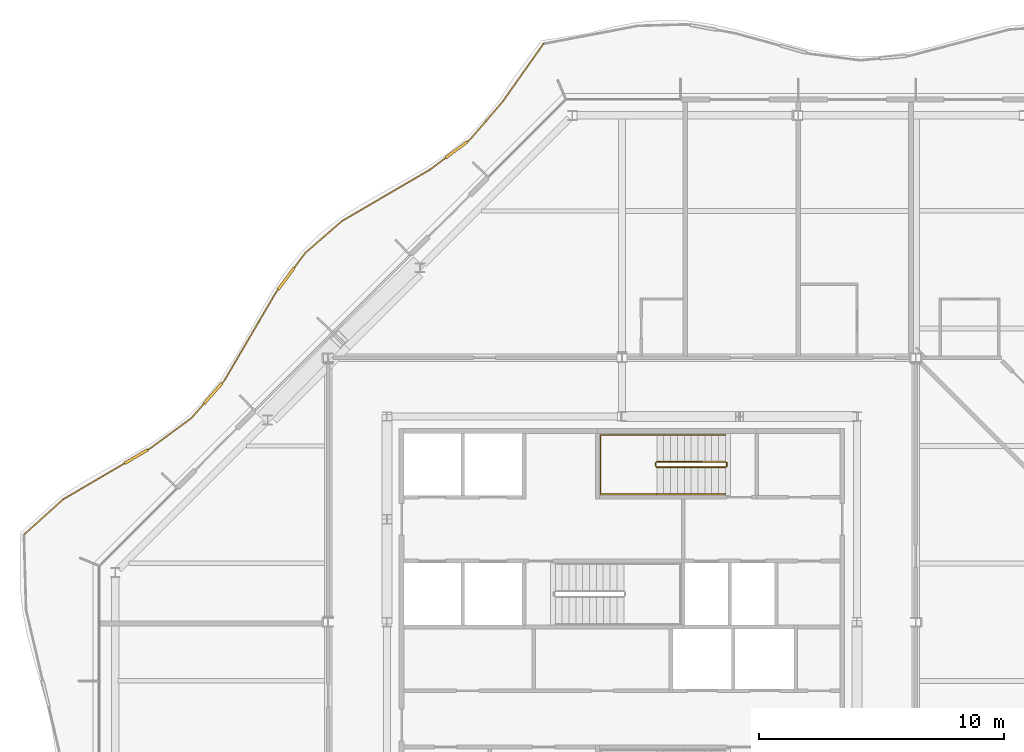
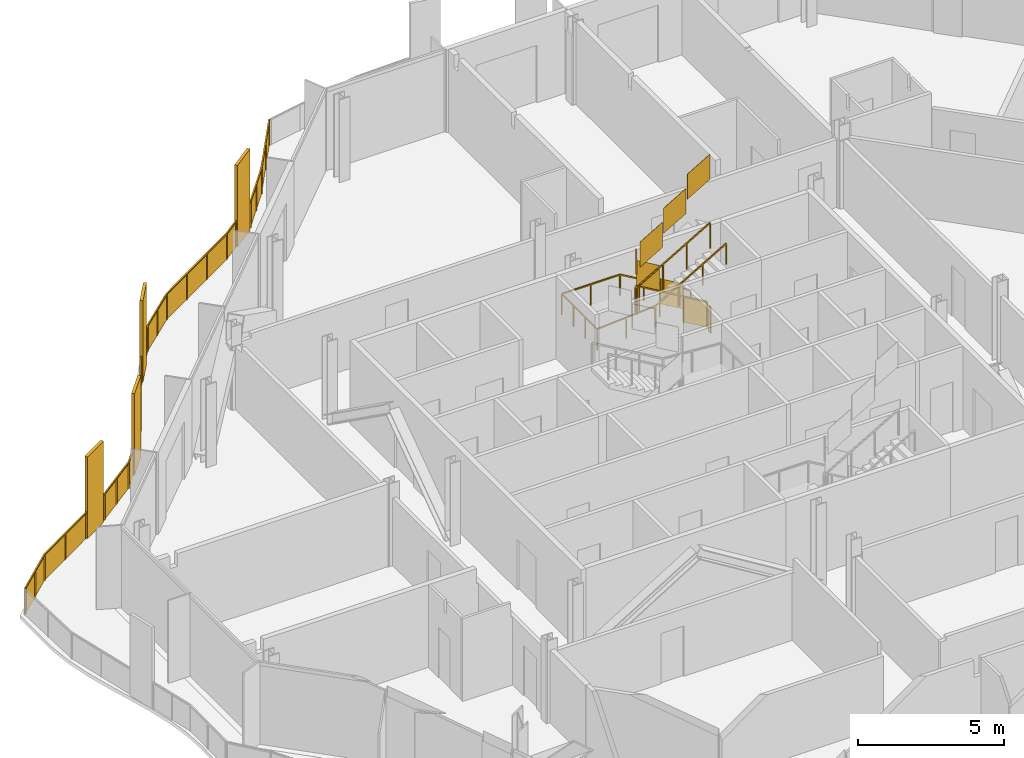
# One storey, part 16 of 17: 4 railings.
"""IFC4 building model written with IfcOpenShell, lengths in metres."""

import ifcopenshell
import ifcopenshell.guid

model = None  # the IFC model being written
_history = None  # IfcOwnerHistory: only IFC2X3 demands one
_inside = {}  # id of a spatial element -> (the spatial element, [elements in it])
_under = {}  # id of a project, library or spatial element -> (it, [spatial elements below it])
_declared = {}  # id of a project -> (the project, [libraries it declares])
_typed = {}  # id of a type object -> (the type object, [elements of that type])
_made_of = {}  # id of a material, layer set ... -> (it, [elements and type objects made of it])


def new_model(schema):
    """Start an empty IFC model of exactly this schema.

    Asked for "IFC4X3", IfcOpenShell would pick the latest addendum, in which some entities
    have other attributes; the version numbers below select the first issue.
    IFC2X3 requires an IfcOwnerHistory on every rooted entity: one is made here for all.
    """
    global model, _history
    if schema == "IFC4X3":
        model = ifcopenshell.file(schema_version=(4, 3, 0, 0))
    else:
        model = ifcopenshell.file(schema=schema)
    _inside.clear()
    _under.clear()
    _declared.clear()
    _typed.clear()
    _made_of.clear()
    _history = None
    if model.schema == "IFC2X3":
        org = make("IfcOrganization", Name="unknown")
        user = make(
            "IfcPersonAndOrganization",
            ThePerson=make("IfcPerson", FamilyName="unknown"),
            TheOrganization=org,
        )
        app = make(
            "IfcApplication",
            ApplicationDeveloper=org,
            Version="unknown",
            ApplicationFullName="unknown",
            ApplicationIdentifier="unknown",
        )
        _history = make(
            "IfcOwnerHistory",
            OwningUser=user,
            OwningApplication=app,
            ChangeAction="ADDED",
            CreationDate=0,
        )
    return model


def make(cls, **values):
    """One entity of the class cls with the attributes given. An attribute that is None is left unset."""
    return model.create_entity(
        cls, **{name: value for name, value in values.items() if value is not None}
    )


def rooted(cls, **values):
    """An entity with a GlobalId (a new one), such as an element, a storey or a relation."""
    return make(cls, GlobalId=ifcopenshell.guid.new(), OwnerHistory=_history, **values)


def si_unit(unit_type, name, prefix=None):
    """IfcSIUnit, for example si_unit("LENGTHUNIT", "METRE", prefix="MILLI")."""
    return make("IfcSIUnit", UnitType=unit_type, Prefix=prefix, Name=name)


def assignment(units):
    """IfcUnitAssignment: the units of a project."""
    return None if units is None else make("IfcUnitAssignment", Units=units)


def point(xyz):
    """IfcCartesianPoint."""
    return None if xyz is None else make("IfcCartesianPoint", Coordinates=xyz)


def direction(xyz):
    """IfcDirection."""
    return None if xyz is None else make("IfcDirection", DirectionRatios=xyz)


def frame(location, z_axis=None, x_axis=None):
    """IfcAxis2Placement3D, a coordinate frame: its origin and axes. An axis left out is left unset."""
    return make(
        "IfcAxis2Placement3D",
        Location=point(location),
        Axis=direction(z_axis),
        RefDirection=direction(x_axis),
    )


def frame_2d(location, x_axis=None):
    """IfcAxis2Placement2D, a coordinate frame in the plane: its origin and x axis."""
    return make(
        "IfcAxis2Placement2D", Location=point(location), RefDirection=direction(x_axis)
    )


def origin():
    """The frame at (0, 0, 0) with its axes left unset."""
    return frame((0.0, 0.0, 0.0))


def origin_2d():
    """The frame at (0, 0) in the plane with its x axis left unset."""
    return frame_2d((0.0, 0.0))


def place(relative_to, where):
    """IfcLocalPlacement: puts the frame where relative to a parent placement (None: the world)."""
    return make(
        "IfcLocalPlacement", PlacementRelTo=relative_to, RelativePlacement=where
    )


def context(
    kind, dimensions, precision=None, world=None, true_north=None, identifier=None
):
    """IfcGeometricRepresentationContext, for example the 3D "Model" context."""
    return make(
        "IfcGeometricRepresentationContext",
        ContextIdentifier=identifier,
        ContextType=kind,
        CoordinateSpaceDimension=dimensions,
        Precision=precision,
        WorldCoordinateSystem=world,
        TrueNorth=true_north,
    )


def subcontext(parent, identifier, kind, view, scale=None):
    """IfcGeometricRepresentationSubContext, for example "Body" below "Model"."""
    return make(
        "IfcGeometricRepresentationSubContext",
        ContextIdentifier=identifier,
        ContextType=kind,
        ParentContext=parent,
        TargetScale=scale,
        TargetView=view,
    )


def project(units=None, contexts=None):
    """IfcProject with its units and contexts."""
    return rooted(
        "IfcProject",
        Name="project",
        RepresentationContexts=contexts,
        UnitsInContext=assignment(units),
    )


def spatial(cls, under=None, at=None, **own):
    """A site, building, storey or space (cls), placed at a placement, below another one or the project."""
    s = rooted(cls, ObjectPlacement=at, **own)
    if under is not None:
        _under.setdefault(under.id(), (under, []))[1].append(s)
    return s


def polyline(points):
    """IfcPolyline through the points."""
    return make("IfcPolyline", Points=[point(p) for p in points])


def profile(cls, at=None, kind="AREA", **sizes):
    """A parametric profile (cls). Its sizes go by their IFC names, for example OverallWidth=200.0."""
    return make(cls, ProfileType=kind, Position=at, **sizes)


def rectangle(**sizes):
    """IfcRectangleProfileDef."""
    return profile("IfcRectangleProfileDef", **sizes)


def outline(outer, holes=None, kind="AREA"):
    """IfcArbitraryClosedProfileDef: a profile drawn as a closed curve; with holes, ...WithVoids."""
    if holes is None:
        return make("IfcArbitraryClosedProfileDef", ProfileType=kind, OuterCurve=outer)
    return make(
        "IfcArbitraryProfileDefWithVoids",
        ProfileType=kind,
        OuterCurve=outer,
        InnerCurves=holes,
    )


def extrude(swept, where, along, depth):
    """IfcExtrudedAreaSolid: the profile swept, set in the frame where, extruded along a direction by depth."""
    return make(
        "IfcExtrudedAreaSolid",
        SweptArea=swept,
        Position=where,
        ExtrudedDirection=direction(along),
        Depth=depth,
    )


def shape(context_of_items, identifier, shape_type, items):
    """IfcShapeRepresentation: the items that make up one representation, for example the "Body"."""
    return make(
        "IfcShapeRepresentation",
        ContextOfItems=context_of_items,
        RepresentationIdentifier=identifier,
        RepresentationType=shape_type,
        Items=items,
    )


def material(Name=None, Category=None):
    """IfcMaterial."""
    return make("IfcMaterial", Name=Name, Category=Category)


def made_of(thing, what):
    """Note that an element or type object is made of a material, layer set ...; save() writes the relation."""
    if what is not None:
        _made_of.setdefault(what.id(), (what, []))[1].append(thing)
    return thing


def type_object(cls, material=None, **own):
    """A type object (cls), such as IfcWallType, which elements share."""
    return made_of(rooted(cls, **own), material)


def element(
    cls,
    number,
    at=None,
    inside=None,
    cuts=None,
    type_object=None,
    material=None,
    context=None,
    identifier="Body",
    shape_type=None,
    held_by="IfcProductDefinitionShape",
    body=None,
    shapes=None,
    **own,
):
    """One element of the class cls, such as IfcWall. Its Tag is "e" and its number.

    at: its placement. inside: the storey or other place that contains it. cuts: it is an
    opening in that element (IfcRelVoidsElement). A single representation is given by context,
    identifier, shape_type and body (its items); several are given by shapes. held_by: the class
    of the entity that holds the representations. save() writes the other relations.
    """
    e = rooted(cls, Tag="e%d" % number, ObjectPlacement=at, **own)
    if body is not None:
        shapes = [shape(context, identifier, shape_type, body)]
    if shapes is not None:
        e.Representation = make(held_by, Representations=shapes)
    if inside is not None:
        _inside.setdefault(inside.id(), (inside, []))[1].append(e)
    if cuts is not None:
        rooted(
            "IfcRelVoidsElement", RelatingBuildingElement=cuts, RelatedOpeningElement=e
        )
    if type_object is not None:
        _typed.setdefault(type_object.id(), (type_object, []))[1].append(e)
    return made_of(e, material)


def aggregate(whole, parts):
    """IfcRelAggregates: a whole, such as a stair, and the parts it consists of."""
    return rooted("IfcRelAggregates", RelatingObject=whole, RelatedObjects=parts)


def save(model, path):
    """Write the relations noted so far, then the file.

    IfcRelAggregates (storeys below a building ...), IfcRelContainedInSpatialStructure (elements
    in a storey), IfcRelDefinesByType, IfcRelAssociatesMaterial and IfcRelDeclares: one each for
    every whole, place, type object, material and project.
    """
    for whole, parts in _under.values():
        aggregate(whole, parts)
    for where, things in _inside.values():
        rooted(
            "IfcRelContainedInSpatialStructure",
            RelatedElements=things,
            RelatingStructure=where,
        )
    for kind, things in _typed.values():
        rooted("IfcRelDefinesByType", RelatedObjects=things, RelatingType=kind)
    for what, things in _made_of.values():
        rooted("IfcRelAssociatesMaterial", RelatedObjects=things, RelatingMaterial=what)
    for by, libraries in _declared.values():
        rooted("IfcRelDeclares", RelatingContext=by, RelatedDefinitions=libraries)
    model.write(path)


model = new_model("IFC4")

# Units and contexts
model_context = context("Model", 3, precision=1e-05, world=origin(), true_north=direction((0.0, 1.0)))
body_context = subcontext(model_context, "Body", "Model", "MODEL_VIEW")
ifc_project = project(units=[si_unit("LENGTHUNIT", "METRE"), si_unit("AREAUNIT", "SQUARE_METRE"), si_unit("VOLUMEUNIT", "CUBIC_METRE"), si_unit("PLANEANGLEUNIT", "RADIAN"), si_unit("MASSUNIT", "GRAM", prefix="KILO")], contexts=[model_context])

# Site, building, storey
site_placement = place(None, origin())
site = spatial("IfcSite", under=ifc_project, at=site_placement, CompositionType="ELEMENT")
building_placement = place(site_placement, origin())
building = spatial("IfcBuilding", under=site, at=building_placement, Name="Cairn Pilgrim Tower", CompositionType="ELEMENT")
storey_placement = place(building_placement, frame((0.0, 0.0, 253.800048828125)))
storey = spatial("IfcBuildingStorey", under=building, at=storey_placement, Name="L65", CompositionType="ELEMENT", Elevation=253.800048828125)

# Railings
ifc_material_1 = material(Name="Bronze anodised aluminium rail, posts and fin screens with laminated glass infill", Category="aluminium")
railing_type_1 = type_object("IfcRailingType", Name="BALCONY GUARD WITH FIN SCREENS", PredefinedType="GUARDRAIL", material=ifc_material_1)
railing_1_placement = place(storey_placement, frame((3.992919921875, 26.024169921875, 0.0)))
element("IfcRailing", 1, at=railing_1_placement, inside=storey, type_object=railing_type_1, Name="Balcony guard BGF-6 with fin screens", PredefinedType="GUARDRAIL", context=body_context, shape_type="SweptSolid", body=[
    extrude(rectangle(XDim=0.050048828125, YDim=0.050048828125, at=origin_2d()), frame((0.0, 0.0, 1.0751953125), z_axis=(-0.57633889934, -0.817210788663, 0.0), x_axis=(0.817210788663, -0.57633889934, 0.0)), (0.0, 0.0, 1.0), 2.895751953125),
    extrude(rectangle(XDim=0.050048828125, YDim=0.050048828125, at=origin_2d()), frame((-1.6689453125, -2.366455078125, 1.0751953125), z_axis=(-0.651923719263, -0.758284553622, 0.0), x_axis=(0.758284553622, -0.651923719263, 0.0)), (0.0, 0.0, 1.0), 2.04052734375),
    extrude(rectangle(XDim=1.10009765625, YDim=0.110107421875, at=origin_2d()), frame((-3.5595703125, -4.33349609375, 0.0), z_axis=(0.0, 0.0, 1.0), x_axis=(-0.800455544587, -0.599392126359, 0.0)), (0.0, 0.0, 1.0), 3.39990234375),
    extrude(rectangle(XDim=0.050048828125, YDim=0.050048828125, at=origin_2d()), frame((-2.999267578125, -3.913818359375, 1.0751953125), z_axis=(-0.800455544587, -0.599392126359, 0.0), x_axis=(0.599392126359, -0.800455544587, 0.0)), (0.0, 0.0, 1.0), 0.14990234375),
    extrude(rectangle(XDim=0.050048828125, YDim=0.050048828125, at=origin_2d()), frame((-3.999755859375, -4.6630859375, 1.0751953125), z_axis=(-0.800455544587, -0.599392126359, 0.0), x_axis=(0.599392126359, -0.800455544587, 0.0)), (0.0, 0.0, 1.0), 0.806884765625),
    extrude(rectangle(XDim=0.050048828125, YDim=0.050048828125, at=origin_2d()), frame((-4.645751953125, -5.146728515625, 1.0751953125), z_axis=(-0.863369283691, -0.504572571569, 0.0), x_axis=(0.504572571569, -0.863369283691, 0.0)), (0.0, 0.0, 1.0), 4.1533203125),
    extrude(rectangle(XDim=0.050048828125, YDim=0.050048828125, at=origin_2d()), frame((-8.231689453125, -7.242431640625, 1.0751953125), z_axis=(-0.755084368508, -0.655627635502, 0.0), x_axis=(0.655627635502, -0.755084368508, 0.0)), (0.0, 0.0, 1.0), 1.98583984375),
    extrude(rectangle(XDim=1.10009765625, YDim=0.110107421875, at=origin_2d()), frame((-10.51123046875, -9.59521484375, 0.0), z_axis=(0.0, 0.0, 1.0), x_axis=(-0.596064380955, -0.802936643676, 0.0)), (0.0, 0.0, 1.0), 3.39990234375),
    extrude(rectangle(XDim=0.050048828125, YDim=0.050048828125, at=origin_2d()), frame((-9.731201171875, -8.54443359375, 1.0751953125), z_axis=(-0.596064380955, -0.802936643676, 0.0), x_axis=(0.802936643676, -0.596064380955, 0.0)), (0.0, 0.0, 1.0), 0.758544921875),
    extrude(rectangle(XDim=0.050048828125, YDim=0.050048828125, at=origin_2d()), frame((-10.839111328125, -10.036865234375, 1.0751953125), z_axis=(-0.596064380955, -0.802936643676, 0.0), x_axis=(0.802936643676, -0.596064380955, 0.0)), (0.0, 0.0, 1.0), 0.150146484375),
    extrude(rectangle(XDim=0.050048828125, YDim=0.050048828125, at=origin_2d()), frame((-10.928466796875, -10.1572265625, 1.0751953125), z_axis=(-0.50508441104, -0.863069949497, 0.0), x_axis=(0.863069949497, -0.50508441104, 0.0)), (0.0, 0.0, 1.0), 4.164306640625),
    extrude(rectangle(XDim=1.10009765625, YDim=0.110107421875, at=origin_2d()), frame((-13.4931640625, -14.277587890625, 0.0), z_axis=(0.0, 0.0, 1.0), x_axis=(-0.65929822296, -0.751881542001, 0.0)), (0.0, 0.0, 1.0), 3.39990234375),
    extrude(rectangle(XDim=0.050048828125, YDim=0.050048828125, at=origin_2d()), frame((-13.03173828125, -13.751220703125, 1.0751953125), z_axis=(-0.65929822296, -0.751881542001, 0.0), x_axis=(0.751881542001, -0.65929822296, 0.0)), (0.0, 0.0, 1.0), 0.14990234375),
    extrude(rectangle(XDim=0.050048828125, YDim=0.050048828125, at=origin_2d()), frame((-13.855712890625, -14.691162109375, 1.0751953125), z_axis=(-0.65929822296, -0.751881542001, 0.0), x_axis=(0.751881542001, -0.65929822296, 0.0)), (0.0, 0.0, 1.0), 0.79638671875),
    extrude(rectangle(XDim=0.050048828125, YDim=0.050048828125, at=origin_2d()), frame((-14.380859375, -15.289794921875, 1.0751953125), z_axis=(-0.805487840964, -0.592612299956, 0.0), x_axis=(0.592612299956, -0.805487840964, 0.0)), (0.0, 0.0, 1.0), 2.05859375),
    extrude(rectangle(XDim=1.10009765625, YDim=0.110107421875, at=origin_2d()), frame((-16.642822265625, -16.86376953125, 0.0), z_axis=(0.0, 0.0, 1.0), x_axis=(-0.862701510364, -0.505713460385, 0.0)), (0.0, 0.0, 1.0), 3.39990234375),
    extrude(rectangle(XDim=0.050048828125, YDim=0.050048828125, at=origin_2d()), frame((-16.0390625, -16.509765625, 1.0751953125), z_axis=(-0.862701510364, -0.505713460385, 0.0), x_axis=(0.505713460385, -0.862701510364, 0.0)), (0.0, 0.0, 1.0), 0.14990234375),
    extrude(rectangle(XDim=0.050048828125, YDim=0.050048828125, at=origin_2d()), frame((-17.117431640625, -17.141845703125, 1.0751953125), z_axis=(-0.862701510364, -0.505713460385, 0.0), x_axis=(0.505713460385, -0.862701510364, 0.0)), (0.0, 0.0, 1.0), 2.89990234375),
    extrude(rectangle(XDim=0.050048828125, YDim=0.050048828125, at=origin_2d()), frame((-19.619140625, -18.6083984375, 1.0751953125), z_axis=(-0.743114888716, -0.669163853006, 0.0), x_axis=(0.669163853006, -0.743114888716, 0.0)), (0.0, 0.0, 1.0), 2.099609375),
    extrude(rectangle(XDim=0.050048828125, YDim=0.050048828125, at=origin_2d()), origin(), (0.0, 0.0, 1.0), 1.050048828125),
    extrude(rectangle(XDim=0.050048828125, YDim=0.050048828125, at=origin_2d()), frame((-0.83447265625, -1.18310546875, 0.0)), (0.0, 0.0, 1.0), 1.050048828125),
    extrude(rectangle(XDim=0.050048828125, YDim=0.050048828125, at=origin_2d()), frame((-1.6689453125, -2.366455078125, 0.0)), (0.0, 0.0, 1.0), 1.050048828125),
    extrude(rectangle(XDim=0.050048828125, YDim=0.050048828125, at=origin_2d()), frame((-2.333984375, -3.14013671875, 0.0)), (0.0, 0.0, 1.0), 1.050048828125),
    extrude(rectangle(XDim=0.050048828125, YDim=0.050048828125, at=origin_2d()), frame((-2.999267578125, -3.913818359375, 0.0)), (0.0, 0.0, 1.0), 1.050048828125),
    extrude(rectangle(XDim=0.050048828125, YDim=0.050048828125, at=origin_2d()), frame((-3.099365234375, -3.98876953125, 0.0)), (0.0, 0.0, 1.0), 1.050048828125),
    extrude(rectangle(XDim=0.050048828125, YDim=0.050048828125, at=origin_2d()), frame((-4.019775390625, -4.677978515625, 0.0)), (0.0, 0.0, 1.0), 1.050048828125),
    extrude(rectangle(XDim=0.050048828125, YDim=0.050048828125, at=origin_2d()), frame((-4.645751953125, -5.146728515625, 0.0)), (0.0, 0.0, 1.0), 1.050048828125),
    extrude(rectangle(XDim=0.050048828125, YDim=0.050048828125, at=origin_2d()), frame((-5.841064453125, -5.84521484375, 0.0)), (0.0, 0.0, 1.0), 1.050048828125),
    extrude(rectangle(XDim=0.050048828125, YDim=0.050048828125, at=origin_2d()), frame((-7.036376953125, -6.5439453125, 0.0)), (0.0, 0.0, 1.0), 1.050048828125),
    extrude(rectangle(XDim=0.050048828125, YDim=0.050048828125, at=origin_2d()), frame((-8.231689453125, -7.242431640625, 0.0)), (0.0, 0.0, 1.0), 1.050048828125),
    extrude(rectangle(XDim=0.050048828125, YDim=0.050048828125, at=origin_2d()), frame((-8.9814453125, -7.8935546875, 0.0)), (0.0, 0.0, 1.0), 1.050048828125),
    extrude(rectangle(XDim=0.050048828125, YDim=0.050048828125, at=origin_2d()), frame((-9.731201171875, -8.54443359375, 0.0)), (0.0, 0.0, 1.0), 1.050048828125),
    extrude(rectangle(XDim=0.050048828125, YDim=0.050048828125, at=origin_2d()), frame((-10.16845703125, -9.133544921875, 0.0)), (0.0, 0.0, 1.0), 1.050048828125),
    extrude(rectangle(XDim=0.050048828125, YDim=0.050048828125, at=origin_2d()), frame((-10.85400390625, -10.056884765625, 0.0)), (0.0, 0.0, 1.0), 1.050048828125),
    extrude(rectangle(XDim=0.050048828125, YDim=0.050048828125, at=origin_2d()), frame((-10.928466796875, -10.1572265625, 0.0)), (0.0, 0.0, 1.0), 1.050048828125),
    extrude(rectangle(XDim=0.050048828125, YDim=0.050048828125, at=origin_2d()), frame((-11.629638671875, -11.355224609375, 0.0)), (0.0, 0.0, 1.0), 1.050048828125),
    extrude(rectangle(XDim=0.050048828125, YDim=0.050048828125, at=origin_2d()), frame((-12.33056640625, -12.55322265625, 0.0)), (0.0, 0.0, 1.0), 1.050048828125),
    extrude(rectangle(XDim=0.050048828125, YDim=0.050048828125, at=origin_2d()), frame((-13.03173828125, -13.751220703125, 0.0)), (0.0, 0.0, 1.0), 1.050048828125),
    extrude(rectangle(XDim=0.050048828125, YDim=0.050048828125, at=origin_2d()), frame((-13.114013671875, -13.84521484375, 0.0)), (0.0, 0.0, 1.0), 1.050048828125),
    extrude(rectangle(XDim=0.050048828125, YDim=0.050048828125, at=origin_2d()), frame((-13.872314453125, -14.7099609375, 0.0)), (0.0, 0.0, 1.0), 1.050048828125),
    extrude(rectangle(XDim=0.050048828125, YDim=0.050048828125, at=origin_2d()), frame((-14.380859375, -15.289794921875, 0.0)), (0.0, 0.0, 1.0), 1.050048828125),
    extrude(rectangle(XDim=0.050048828125, YDim=0.050048828125, at=origin_2d()), frame((-15.2099609375, -15.89990234375, 0.0)), (0.0, 0.0, 1.0), 1.050048828125),
    extrude(rectangle(XDim=0.050048828125, YDim=0.050048828125, at=origin_2d()), frame((-16.0390625, -16.509765625, 0.0)), (0.0, 0.0, 1.0), 1.050048828125),
    extrude(rectangle(XDim=0.050048828125, YDim=0.050048828125, at=origin_2d()), frame((-16.146728515625, -16.572998046875, 0.0)), (0.0, 0.0, 1.0), 1.050048828125),
    extrude(rectangle(XDim=0.050048828125, YDim=0.050048828125, at=origin_2d()), frame((-17.138916015625, -17.154541015625, 0.0)), (0.0, 0.0, 1.0), 1.050048828125),
    extrude(rectangle(XDim=0.050048828125, YDim=0.050048828125, at=origin_2d()), frame((-18.379150390625, -17.88134765625, 0.0)), (0.0, 0.0, 1.0), 1.050048828125),
    extrude(rectangle(XDim=0.050048828125, YDim=0.050048828125, at=origin_2d()), frame((-19.619140625, -18.6083984375, 0.0)), (0.0, 0.0, 1.0), 1.050048828125),
    extrude(rectangle(XDim=0.050048828125, YDim=0.050048828125, at=origin_2d()), frame((-20.3994140625, -19.31103515625, 0.0)), (0.0, 0.0, 1.0), 1.050048828125),
    extrude(rectangle(XDim=0.050048828125, YDim=0.050048828125, at=origin_2d()), frame((-21.179443359375, -20.013427734375, 0.0)), (0.0, 0.0, 1.0), 1.050048828125),
    extrude(outline(polyline([(0.02490234375, 0.0), (1.4228515625, 0.0), (1.4228515625, 1.050048828125), (0.02490234375, 1.050048828125), (0.02490234375, 0.0)])), frame((0.0048828125, -0.00341796875, 0.0), z_axis=(-0.817210788663, 0.57633889934, 0.0), x_axis=(-0.57633889934, -0.817210788663, 0.0)), (0.0, 0.0, 1.0), 0.011962890625),
    extrude(outline(polyline([(0.02490234375, 0.0), (1.4228515625, 0.0), (1.4228515625, 1.050048828125), (0.02490234375, 1.050048828125), (0.02490234375, 0.0)])), frame((-0.82958984375, -1.186767578125, 0.0), z_axis=(-0.817210788663, 0.57633889934, 0.0), x_axis=(-0.57633889934, -0.817210788663, 0.0)), (0.0, 0.0, 1.0), 0.011962890625),
    extrude(outline(polyline([(0.02490234375, 0.0), (0.995361328125, 0.0), (0.995361328125, 1.050048828125), (0.02490234375, 1.050048828125), (0.02490234375, 0.0)])), frame((-1.664306640625, -2.370361328125, 0.0), z_axis=(-0.758284553622, 0.651923719263, 0.0), x_axis=(-0.651923719263, -0.758284553622, 0.0)), (0.0, 0.0, 1.0), 0.011962890625),
    extrude(outline(polyline([(0.02490234375, 0.0), (0.995361328125, 0.0), (0.995361328125, 1.050048828125), (0.02490234375, 1.050048828125), (0.02490234375, 0.0)])), frame((-2.32958984375, -3.14404296875, 0.0), z_axis=(-0.758284553622, 0.651923719263, 0.0), x_axis=(-0.651923719263, -0.758284553622, 0.0)), (0.0, 0.0, 1.0), 0.011962890625),
    extrude(outline(polyline([(0.02490234375, 0.0), (0.099853515625, 0.0), (0.099853515625, 1.050048828125), (0.02490234375, 1.050048828125), (0.02490234375, 0.0)])), frame((-2.99560546875, -3.918701171875, 0.0), z_axis=(-0.599392126359, 0.800455544587, 0.0), x_axis=(-0.800455544587, -0.599392126359, 0.0)), (0.0, 0.0, 1.0), 0.011962890625),
    extrude(outline(polyline([(0.02490234375, 0.0), (0.7568359375, 0.0), (0.7568359375, 1.050048828125), (0.02490234375, 1.050048828125), (0.02490234375, 0.0)])), frame((-4.016357421875, -4.682861328125, 0.0), z_axis=(-0.599392126359, 0.800455544587, 0.0), x_axis=(-0.800455544587, -0.599392126359, 0.0)), (0.0, 0.0, 1.0), 0.011962890625),
    extrude(outline(polyline([(0.02490234375, 0.0), (1.359375, 0.0), (1.359375, 1.050048828125), (0.02490234375, 1.050048828125), (0.02490234375, 0.0)])), frame((-4.642822265625, -5.15185546875, 0.0), z_axis=(-0.504572571569, 0.863369283691, 0.0), x_axis=(-0.863369283691, -0.504572571569, 0.0)), (0.0, 0.0, 1.0), 0.011962890625),
    extrude(outline(polyline([(0.02490234375, 0.0), (1.359375, 0.0), (1.359375, 1.050048828125), (0.02490234375, 1.050048828125), (0.02490234375, 0.0)])), frame((-5.838134765625, -5.850341796875, 0.0), z_axis=(-0.504572571569, 0.863369283691, 0.0), x_axis=(-0.863369283691, -0.504572571569, 0.0)), (0.0, 0.0, 1.0), 0.011962890625),
    extrude(outline(polyline([(0.02490234375, 0.0), (1.359375, 0.0), (1.359375, 1.050048828125), (0.02490234375, 1.050048828125), (0.02490234375, 0.0)])), frame((-7.033447265625, -6.549072265625, 0.0), z_axis=(-0.504572571569, 0.863369283691, 0.0), x_axis=(-0.863369283691, -0.504572571569, 0.0)), (0.0, 0.0, 1.0), 0.011962890625),
    extrude(outline(polyline([(0.02490234375, 0.0), (0.968017578125, 0.0), (0.968017578125, 1.050048828125), (0.02490234375, 1.050048828125), (0.02490234375, 0.0)])), frame((-8.227783203125, -7.246826171875, 0.0), z_axis=(-0.655627635502, 0.755084368508, 0.0), x_axis=(-0.755084368508, -0.655627635502, 0.0)), (0.0, 0.0, 1.0), 0.011962890625),
    extrude(outline(polyline([(0.02490234375, 0.0), (0.968017578125, 0.0), (0.968017578125, 1.050048828125), (0.02490234375, 1.050048828125), (0.02490234375, 0.0)])), frame((-8.9775390625, -7.89794921875, 0.0), z_axis=(-0.655627635502, 0.755084368508, 0.0), x_axis=(-0.755084368508, -0.655627635502, 0.0)), (0.0, 0.0, 1.0), 0.011962890625),
    extrude(outline(polyline([(0.02490234375, 0.0), (0.70849609375, 0.0), (0.70849609375, 1.050048828125), (0.02490234375, 1.050048828125), (0.02490234375, 0.0)])), frame((-9.726318359375, -8.548095703125, 0.0), z_axis=(-0.802936643676, 0.596064380955, 0.0), x_axis=(-0.596064380955, -0.802936643676, 0.0)), (0.0, 0.0, 1.0), 0.011962890625),
    extrude(outline(polyline([(0.02490234375, 0.0), (0.10009765625, 0.0), (0.10009765625, 1.050048828125), (0.02490234375, 1.050048828125), (0.02490234375, 0.0)])), frame((-10.84912109375, -10.060302734375, 0.0), z_axis=(-0.802936643676, 0.596064380955, 0.0), x_axis=(-0.596064380955, -0.802936643676, 0.0)), (0.0, 0.0, 1.0), 0.011962890625),
    extrude(outline(polyline([(0.02490234375, 0.0), (1.363037109375, 0.0), (1.363037109375, 1.050048828125), (0.02490234375, 1.050048828125), (0.02490234375, 0.0)])), frame((-10.92333984375, -10.16015625, 0.0), z_axis=(-0.863069949497, 0.50508441104, 0.0), x_axis=(-0.50508441104, -0.863069949497, 0.0)), (0.0, 0.0, 1.0), 0.011962890625),
    extrude(outline(polyline([(0.02490234375, 0.0), (1.363037109375, 0.0), (1.363037109375, 1.050048828125), (0.02490234375, 1.050048828125), (0.02490234375, 0.0)])), frame((-11.62451171875, -11.358154296875, 0.0), z_axis=(-0.863069949497, 0.50508441104, 0.0), x_axis=(-0.50508441104, -0.863069949497, 0.0)), (0.0, 0.0, 1.0), 0.011962890625),
    extrude(outline(polyline([(0.02490234375, 0.0), (1.363037109375, 0.0), (1.363037109375, 1.050048828125), (0.02490234375, 1.050048828125), (0.02490234375, 0.0)])), frame((-12.325439453125, -12.55615234375, 0.0), z_axis=(-0.863069949497, 0.50508441104, 0.0), x_axis=(-0.50508441104, -0.863069949497, 0.0)), (0.0, 0.0, 1.0), 0.011962890625),
    extrude(outline(polyline([(0.02490234375, 0.0), (0.099853515625, 0.0), (0.099853515625, 1.050048828125), (0.02490234375, 1.050048828125), (0.02490234375, 0.0)])), frame((-13.02734375, -13.755126953125, 0.0), z_axis=(-0.751881542001, 0.65929822296, 0.0), x_axis=(-0.65929822296, -0.751881542001, 0.0)), (0.0, 0.0, 1.0), 0.011962890625),
    extrude(outline(polyline([(0.02490234375, 0.0), (0.746337890625, 0.0), (0.746337890625, 1.050048828125), (0.02490234375, 1.050048828125), (0.02490234375, 0.0)])), frame((-13.867919921875, -14.7138671875, 0.0), z_axis=(-0.751881542001, 0.65929822296, 0.0), x_axis=(-0.65929822296, -0.751881542001, 0.0)), (0.0, 0.0, 1.0), 0.011962890625),
    extrude(outline(polyline([(0.02490234375, 0.0), (1.00439453125, 0.0), (1.00439453125, 1.050048828125), (0.02490234375, 1.050048828125), (0.02490234375, 0.0)])), frame((-14.377197265625, -15.294677734375, 0.0), z_axis=(-0.592612299956, 0.805487840964, 0.0), x_axis=(-0.805487840964, -0.592612299956, 0.0)), (0.0, 0.0, 1.0), 0.011962890625),
    extrude(outline(polyline([(0.02490234375, 0.0), (1.00439453125, 0.0), (1.00439453125, 1.050048828125), (0.02490234375, 1.050048828125), (0.02490234375, 0.0)])), frame((-15.206298828125, -15.904541015625, 0.0), z_axis=(-0.592612299956, 0.805487840964, 0.0), x_axis=(-0.805487840964, -0.592612299956, 0.0)), (0.0, 0.0, 1.0), 0.011962890625),
    extrude(outline(polyline([(0.02490234375, 0.0), (0.099853515625, 0.0), (0.099853515625, 1.050048828125), (0.02490234375, 1.050048828125), (0.02490234375, 0.0)])), frame((-16.0361328125, -16.514892578125, 0.0), z_axis=(-0.505713460385, 0.862701510364, 0.0), x_axis=(-0.862701510364, -0.505713460385, 0.0)), (0.0, 0.0, 1.0), 0.011962890625),
    extrude(outline(polyline([(0.02490234375, 0.0), (1.412353515625, 0.0), (1.412353515625, 1.050048828125), (0.02490234375, 1.050048828125), (0.02490234375, 0.0)])), frame((-17.135986328125, -17.15966796875, 0.0), z_axis=(-0.505713460385, 0.862701510364, 0.0), x_axis=(-0.862701510364, -0.505713460385, 0.0)), (0.0, 0.0, 1.0), 0.011962890625),
    extrude(outline(polyline([(0.02490234375, 0.0), (1.412353515625, 0.0), (1.412353515625, 1.050048828125), (0.02490234375, 1.050048828125), (0.02490234375, 0.0)])), frame((-18.3759765625, -17.88671875, 0.0), z_axis=(-0.505713460385, 0.862701510364, 0.0), x_axis=(-0.862701510364, -0.505713460385, 0.0)), (0.0, 0.0, 1.0), 0.011962890625),
    extrude(outline(polyline([(0.02490234375, 0.0), (1.02490234375, 0.0), (1.02490234375, 1.050048828125), (0.02490234375, 1.050048828125), (0.02490234375, 0.0)])), frame((-19.615234375, -18.61279296875, 0.0), z_axis=(-0.669163853006, 0.743114888716, 0.0), x_axis=(-0.743114888716, -0.669163853006, 0.0)), (0.0, 0.0, 1.0), 0.011962890625),
    extrude(outline(polyline([(0.02490234375, 0.0), (1.02490234375, 0.0), (1.02490234375, 1.050048828125), (0.02490234375, 1.050048828125), (0.02490234375, 0.0)])), frame((-20.395263671875, -19.3154296875, 0.0), z_axis=(-0.669163853006, 0.743114888716, 0.0), x_axis=(-0.743114888716, -0.669163853006, 0.0)), (0.0, 0.0, 1.0), 0.011962890625),
])
ifc_material_2 = material(Name="Painted steel", Category="steel")
railing_type_2 = type_object("IfcRailingType", Name="STAIR GUARD 1100", PredefinedType="GUARDRAIL", material=ifc_material_2)
railing_2_placement = place(storey_placement, frame((11.425048828125, 8.949951171875, 0.16357421875)))
element("IfcRailing", 2, at=railing_2_placement, inside=storey, type_object=railing_type_2, Name="L65 ST-C stair guard 1", PredefinedType="GUARDRAIL", context=body_context, shape_type="SweptSolid", body=[
    extrude(rectangle(XDim=0.048095703125, YDim=0.048095703125, at=origin_2d()), frame((0.0, 0.0, 1.076171875), z_axis=(-0.863360870873, 0.0, 0.504586966384), x_axis=(0.0, -1.0, 0.0)), (0.0, 0.0, 1.0), 3.2431640625),
    extrude(rectangle(XDim=0.048095703125, YDim=0.048095703125, at=origin_2d()), frame((-2.800048828125, 0.0, 2.71240234375), z_axis=(-0.707106781187, -0.707106781187, 0.0), x_axis=(0.707106781187, -0.707106781187, 0.0)), (0.0, 0.0, 1.0), 0.07080078125),
    extrude(rectangle(XDim=0.048095703125, YDim=0.048095703125, at=origin_2d()), frame((-2.85009765625, -0.050048828125, 2.71240234375), z_axis=(0.0, -1.0, 0.0), x_axis=(1.0, 0.0, 0.0)), (0.0, 0.0, 1.0), 0.125),
    extrude(rectangle(XDim=0.048095703125, YDim=0.048095703125, at=origin_2d()), frame((-2.85009765625, -0.175048828125, 2.71240234375), z_axis=(0.280916556609, -0.279546231943, 0.91811752648), x_axis=(0.705375805398, 0.708833529934, 0.0)), (0.0, 0.0, 1.0), 0.17822265625),
    extrude(rectangle(XDim=0.048095703125, YDim=0.048095703125, at=origin_2d()), frame((-2.800048828125, -0.224853515625, 2.8759765625), z_axis=(0.863393664356, 0.0, 0.504530851732), x_axis=(0.0, 1.0, 0.0)), (0.0, 0.0, 1.0), 3.2431640625),
    extrude(rectangle(XDim=0.0419921875, YDim=0.0419921875, at=origin_2d()), origin(), (0.0, 0.0, 1.0), 1.052001953125),
    extrude(rectangle(XDim=0.0419921875, YDim=0.0419921875, at=origin_2d()), frame((-0.933349609375, 0.0, 0.54541015625)), (0.0, 0.0, 1.0), 1.052001953125),
    extrude(rectangle(XDim=0.0419921875, YDim=0.0419921875, at=origin_2d()), frame((-1.86669921875, 0.0, 1.091064453125)), (0.0, 0.0, 1.0), 1.052001953125),
    extrude(rectangle(XDim=0.0419921875, YDim=0.0419921875, at=origin_2d()), frame((-2.800048828125, 0.0, 1.636474609375)), (0.0, 0.0, 1.0), 1.052001953125),
    extrude(rectangle(XDim=0.0419921875, YDim=0.0419921875, at=origin_2d()), frame((-2.85009765625, -0.050048828125, 1.636474609375)), (0.0, 0.0, 1.0), 1.052001953125),
    extrude(rectangle(XDim=0.0419921875, YDim=0.0419921875, at=origin_2d()), frame((-2.85009765625, -0.175048828125, 1.636474609375)), (0.0, 0.0, 1.0), 1.052001953125),
    extrude(rectangle(XDim=0.0419921875, YDim=0.0419921875, at=origin_2d()), frame((-2.800048828125, -0.224853515625, 1.800048828125)), (0.0, 0.0, 1.0), 1.052001953125),
    extrude(rectangle(XDim=0.0419921875, YDim=0.0419921875, at=origin_2d()), frame((-1.86669921875, -0.224853515625, 2.345458984375)), (0.0, 0.0, 1.0), 1.052001953125),
    extrude(rectangle(XDim=0.0419921875, YDim=0.0419921875, at=origin_2d()), frame((-0.933349609375, -0.224853515625, 2.890869140625)), (0.0, 0.0, 1.0), 1.052001953125),
    extrude(rectangle(XDim=0.0419921875, YDim=0.0419921875, at=origin_2d()), frame((0.0, -0.224853515625, 3.436279296875)), (0.0, 0.0, 1.0), 1.052001953125),
    extrude(outline(polyline([(0.02099609375, 0.01220703125), (0.912353515625, 0.533203125), (0.912353515625, 1.585205078125), (0.02099609375, 1.064208984375), (0.02099609375, 0.01220703125)])), frame((0.0, -0.005859375, 0.0), z_axis=(0.0, 1.0, 0.0), x_axis=(-1.0, 0.0, 0.0)), (0.0, 0.0, 1.0), 0.011962890625),
    extrude(outline(polyline([(0.02099609375, 0.557861328125), (0.912353515625, 1.07861328125), (0.912353515625, 2.130615234375), (0.02099609375, 1.60986328125), (0.02099609375, 0.557861328125)])), frame((-0.933349609375, -0.005859375, 0.54541015625), z_axis=(0.0, 1.0, 0.0), x_axis=(-1.0, 0.0, 0.0)), (0.0, 0.0, 1.0), 0.011962890625),
    extrude(outline(polyline([(0.02099609375, 1.103271484375), (0.912353515625, 1.624267578125), (0.912353515625, 2.67626953125), (0.02099609375, 2.1552734375), (0.02099609375, 1.103271484375)])), frame((-1.86669921875, -0.005859375, 1.091064453125), z_axis=(0.0, 1.0, 0.0), x_axis=(-1.0, 0.0, 0.0)), (0.0, 0.0, 1.0), 0.011962890625),
    extrude(outline(polyline([(0.02099609375, 1.636474609375), (0.10400390625, 1.636474609375), (0.10400390625, 2.6884765625), (0.02099609375, 2.6884765625), (0.02099609375, 1.636474609375)])), frame((-2.84423828125, -0.050048828125, 1.636474609375), z_axis=(-1.0, 0.0, 0.0), x_axis=(0.0, -1.0, 0.0)), (0.0, 0.0, 1.0), 0.011962890625),
    extrude(outline(polyline([(0.02099609375, 1.812255859375), (0.912353515625, 2.333251953125), (0.912353515625, 3.38525390625), (0.02099609375, 2.8642578125), (0.02099609375, 1.812255859375)])), frame((-2.800048828125, -0.21875, 1.800048828125), z_axis=(0.0, -1.0, 0.0), x_axis=(1.0, 0.0, 0.0)), (0.0, 0.0, 1.0), 0.011962890625),
    extrude(outline(polyline([(0.02099609375, 2.357666015625), (0.912353515625, 2.878662109375), (0.912353515625, 3.9306640625), (0.02099609375, 3.40966796875), (0.02099609375, 2.357666015625)])), frame((-1.86669921875, -0.21875, 2.345458984375), z_axis=(0.0, -1.0, 0.0), x_axis=(1.0, 0.0, 0.0)), (0.0, 0.0, 1.0), 0.011962890625),
    extrude(outline(polyline([(0.02099609375, 2.903076171875), (0.912353515625, 3.424072265625), (0.912353515625, 4.47607421875), (0.02099609375, 3.955078125), (0.02099609375, 2.903076171875)])), frame((-0.933349609375, -0.21875, 2.890869140625), z_axis=(0.0, -1.0, 0.0), x_axis=(1.0, 0.0, 0.0)), (0.0, 0.0, 1.0), 0.011962890625),
])
railing_3_placement = place(storey_placement, frame((11.47509765625, 8.89990234375, 0.0)))
element("IfcRailing", 3, at=railing_3_placement, inside=storey, type_object=railing_type_2, Name="L65 ST-C stair guard 2", PredefinedType="GUARDRAIL", context=body_context, shape_type="SweptSolid", body=[
    extrude(rectangle(XDim=0.048095703125, YDim=0.048095703125, at=origin_2d()), frame((0.0, 0.0, 1.076171875), z_axis=(0.0, -1.0, 0.0), x_axis=(1.0, 0.0, 0.0)), (0.0, 0.0, 1.0), 0.125),
    extrude(rectangle(XDim=0.0419921875, YDim=0.0419921875, at=origin_2d()), origin(), (0.0, 0.0, 1.0), 1.052001953125),
    extrude(rectangle(XDim=0.0419921875, YDim=0.0419921875, at=origin_2d()), frame((0.0, -0.125, 0.0)), (0.0, 0.0, 1.0), 1.052001953125),
    extrude(outline(polyline([(0.02099609375, 0.0), (0.10400390625, 0.0), (0.10400390625, 1.052001953125), (0.02099609375, 1.052001953125), (0.02099609375, 0.0)])), frame((0.005859375, 0.0, 0.0), z_axis=(-1.0, 0.0, 0.0), x_axis=(0.0, -1.0, 0.0)), (0.0, 0.0, 1.0), 0.011962890625),
])
railing_type_3 = type_object("IfcRailingType", Name="STAIR HANDRAIL 900", PredefinedType="HANDRAIL", material=ifc_material_2)
railing_4_placement = place(storey_placement, frame((11.425048828125, 10.050048828125, 0.16357421875)))
element("IfcRailing", 4, at=railing_4_placement, inside=storey, type_object=railing_type_3, Name="L65 ST-C stair handrail 1", PredefinedType="HANDRAIL", context=body_context, shape_type="SweptSolid", body=[
    extrude(rectangle(XDim=0.048095703125, YDim=0.048095703125, at=origin_2d()), frame((0.0, 0.0, 0.8759765625), z_axis=(-0.863360870873, 0.0, 0.504586966384), x_axis=(0.0, -1.0, 0.0)), (0.0, 0.0, 1.0), 3.2431640625),
    extrude(rectangle(XDim=0.048095703125, YDim=0.048095703125, at=origin_2d()), frame((-2.800048828125, 0.0, 2.51220703125), z_axis=(-1.0, 0.0, 0.0), x_axis=(0.0, -1.0, 0.0)), (0.0, 0.0, 1.0), 2.300048828125),
    extrude(rectangle(XDim=0.048095703125, YDim=0.048095703125, at=origin_2d()), frame((-5.10009765625, 0.0, 2.51220703125), z_axis=(0.0, -1.0, 0.0), x_axis=(1.0, 0.0, 0.0)), (0.0, 0.0, 1.0), 2.425048828125),
    extrude(rectangle(XDim=0.048095703125, YDim=0.048095703125, at=origin_2d()), frame((-5.10009765625, -2.425048828125, 2.51220703125), z_axis=(0.997480687736, 0.0, 0.070938548008), x_axis=(0.0, 1.0, 0.0)), (0.0, 0.0, 1.0), 2.305908203125),
    extrude(rectangle(XDim=0.048095703125, YDim=0.048095703125, at=origin_2d()), frame((-2.800048828125, -2.425048828125, 2.67578125), z_axis=(0.863393664356, 0.0, 0.504530851732), x_axis=(0.0, 1.0, 0.0)), (0.0, 0.0, 1.0), 3.2431640625),
    extrude(rectangle(XDim=0.0419921875, YDim=0.0419921875, at=origin_2d()), origin(), (0.0, 0.0, 1.0), 0.851806640625),
    extrude(rectangle(XDim=0.0419921875, YDim=0.0419921875, at=origin_2d()), frame((-0.933349609375, 0.0, 0.54541015625)), (0.0, 0.0, 1.0), 0.851806640625),
    extrude(rectangle(XDim=0.0419921875, YDim=0.0419921875, at=origin_2d()), frame((-1.86669921875, 0.0, 1.091064453125)), (0.0, 0.0, 1.0), 0.851806640625),
    extrude(rectangle(XDim=0.0419921875, YDim=0.0419921875, at=origin_2d()), frame((-2.800048828125, 0.0, 1.636474609375)), (0.0, 0.0, 1.0), 0.851806640625),
    extrude(rectangle(XDim=0.0419921875, YDim=0.0419921875, at=origin_2d()), frame((-3.9501953125, 0.0, 1.636474609375)), (0.0, 0.0, 1.0), 0.851806640625),
    extrude(rectangle(XDim=0.0419921875, YDim=0.0419921875, at=origin_2d()), frame((-5.10009765625, 0.0, 1.636474609375)), (0.0, 0.0, 1.0), 0.851806640625),
    extrude(rectangle(XDim=0.0419921875, YDim=0.0419921875, at=origin_2d()), frame((-5.10009765625, -0.808349609375, 1.636474609375)), (0.0, 0.0, 1.0), 0.851806640625),
    extrude(rectangle(XDim=0.0419921875, YDim=0.0419921875, at=origin_2d()), frame((-5.10009765625, -1.61669921875, 1.636474609375)), (0.0, 0.0, 1.0), 0.851806640625),
    extrude(rectangle(XDim=0.0419921875, YDim=0.0419921875, at=origin_2d()), frame((-5.10009765625, -2.425048828125, 1.636474609375)), (0.0, 0.0, 1.0), 0.851806640625),
    extrude(rectangle(XDim=0.0419921875, YDim=0.0419921875, at=origin_2d()), frame((-3.9501953125, -2.425048828125, 1.71826171875)), (0.0, 0.0, 1.0), 0.851806640625),
    extrude(rectangle(XDim=0.0419921875, YDim=0.0419921875, at=origin_2d()), frame((-2.800048828125, -2.425048828125, 1.800048828125)), (0.0, 0.0, 1.0), 0.851806640625),
    extrude(rectangle(XDim=0.0419921875, YDim=0.0419921875, at=origin_2d()), frame((-1.86669921875, -2.425048828125, 2.345458984375)), (0.0, 0.0, 1.0), 0.851806640625),
    extrude(rectangle(XDim=0.0419921875, YDim=0.0419921875, at=origin_2d()), frame((-0.933349609375, -2.425048828125, 2.890869140625)), (0.0, 0.0, 1.0), 0.851806640625),
    extrude(rectangle(XDim=0.0419921875, YDim=0.0419921875, at=origin_2d()), frame((0.0, -2.425048828125, 3.436279296875)), (0.0, 0.0, 1.0), 0.851806640625),
])

save(model, "model.ifc")
